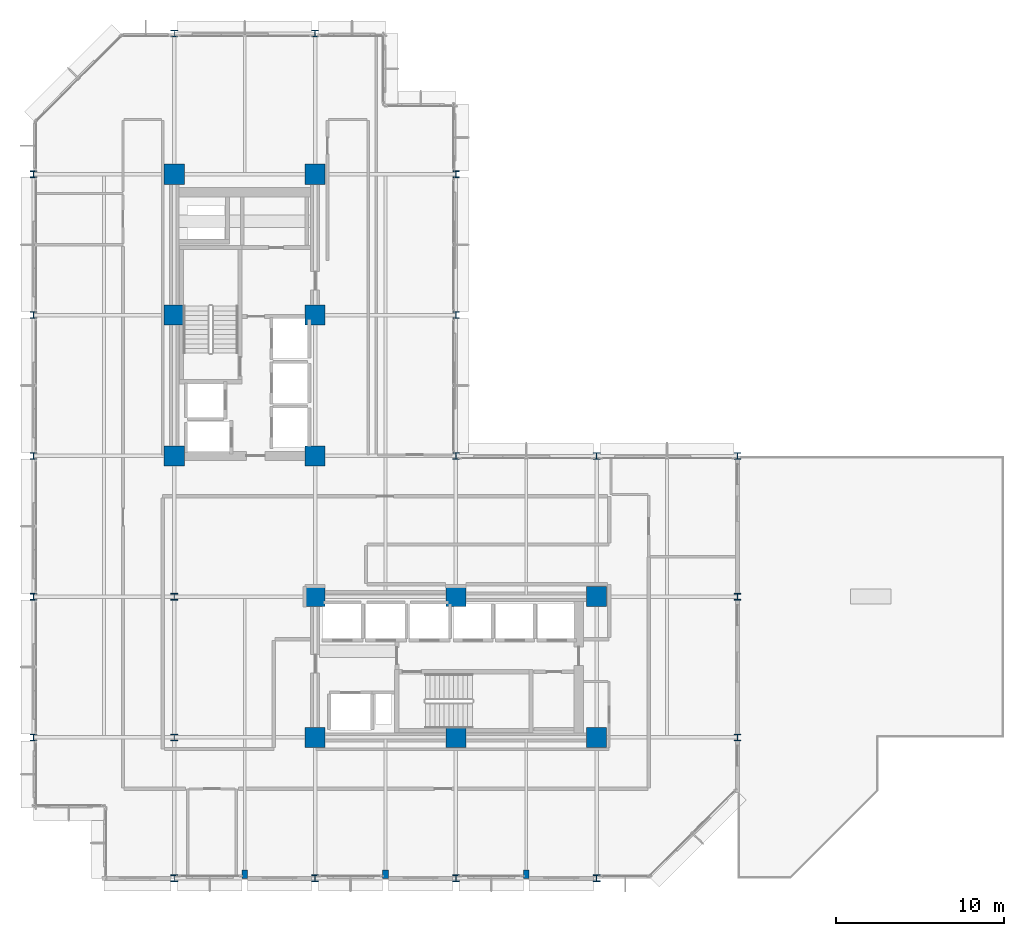
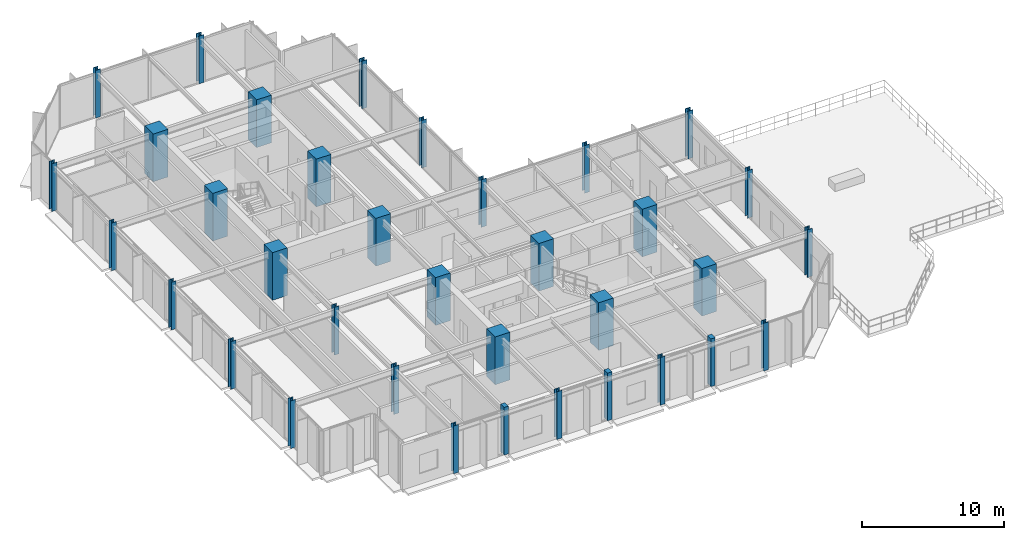
# One storey, part 1 of 25: 35 columns.
"""IFC4 building model written with IfcOpenShell, lengths in metres."""

from ifc_helpers import new_model, si_unit, direction, frame, origin, origin_2d, place, context, subcontext, project, spatial, rectangle, i_section, extrude, material, material_profile, profile_set, type_object, element, save


model = new_model("IFC4")

# Units and contexts
model_context = context("Model", 3, precision=1e-05, world=origin(), true_north=direction((0.0, 1.0)))
body_context = subcontext(model_context, "Body", "Model", "MODEL_VIEW")
ifc_project = project(units=[si_unit("LENGTHUNIT", "METRE"), si_unit("AREAUNIT", "SQUARE_METRE"), si_unit("VOLUMEUNIT", "CUBIC_METRE"), si_unit("PLANEANGLEUNIT", "RADIAN"), si_unit("MASSUNIT", "GRAM", prefix="KILO")], contexts=[model_context])

# Site, building, storey
site_placement = place(None, origin())
site = spatial("IfcSite", under=ifc_project, at=site_placement, CompositionType="ELEMENT")
building_placement = place(site_placement, origin())
building = spatial("IfcBuilding", under=site, at=building_placement, Name="Nerrivon Quay Data Exchange", CompositionType="ELEMENT")
storey_placement = place(building_placement, frame((0.0, 0.0, 113.10009765625)))
storey = spatial("IfcBuildingStorey", under=building, at=storey_placement, Name="L26", CompositionType="ELEMENT", Elevation=113.10009765625)

# Columns
ifc_material_1 = material(Name="Concrete S65 (65 MPa)", Category="concrete")
ifc_material_profile_1 = material_profile(ifc_material_1, rectangle(XDim=1.199951171875, YDim=1.199951171875, at=origin_2d()), Name="RC-COL-1200x1200")
ifc_profile_set_1 = profile_set([ifc_material_profile_1], Name="Concrete S65 (65 MPa)")
column_type_1 = type_object("IfcColumnType", Name="COL-C3-1200", PredefinedType="COLUMN", material=ifc_profile_set_1)
for number, where, z_axis, x_axis, name in (
    (1, (8.39990234375, 25.199951171875, 0.0), (0.0, 0.0, 1.0), (1.0, 0.0, 0.0), "L26 Column (8.4,25.2)"),
    (2, (8.39990234375, 33.60009765625, 0.0), (0.0, 0.0, 1.0), (1.0, 0.0, 0.0), "L26 Column (8.4,33.6)"),
    (3, (8.39990234375, 42.0, 0.0), (0.0, 0.0, 1.0), (1.0, 0.0, 0.0), "L26 Column (8.4,42.0)"),
    (4, (16.800048828125, 8.39990234375, 0.0), (0.0, 0.0, 1.0), (1.0, 0.0, 0.0), "L26 Column (16.8,8.4)"),
    (5, (16.800048828125, 16.800048828125, 0.0), (0.0, 0.0, 1.0), (1.0, 0.0, 0.0), "L26 Column (16.8,16.8)"),
    (6, (16.800048828125, 25.199951171875, 0.0), (0.0, 0.0, 1.0), (1.0, 0.0, 0.0), "L26 Column (16.8,25.2)"),
    (7, (16.800048828125, 33.60009765625, 0.0), (0.0, 0.0, 1.0), (1.0, 0.0, 0.0), "L26 Column (16.8,33.6)"),
    (8, (16.800048828125, 42.0, 0.0), (0.0, 0.0, 1.0), (1.0, 0.0, 0.0), "L26 Column (16.8,42.0)"),
    (9, (25.199951171875, 8.39990234375, 0.0), (0.0, 0.0, 1.0), (1.0, 0.0, 0.0), "L26 Column (25.2,8.4)"),
    (10, (25.199951171875, 16.800048828125, 0.0), (0.0, 0.0, 1.0), (1.0, 0.0, 0.0), "L26 Column (25.2,16.8)"),
    (11, (33.60009765625, 8.39990234375, 0.0), (0.0, 0.0, 1.0), (1.0, 0.0, 0.0), "L26 Column (33.6,8.4)"),
    (12, (33.60009765625, 16.800048828125, 0.0), (0.0, 0.0, 1.0), (1.0, 0.0, 0.0), "L26 Column (33.6,16.8)"),
):
    element("IfcColumn", number, at=place(storey_placement, frame(where, z_axis=z_axis, x_axis=x_axis)), inside=storey, type_object=column_type_1, Name=name, PredefinedType="COLUMN", context=body_context, shape_type="SweptSolid", body=[
        extrude(rectangle(XDim=1.199951171875, YDim=1.199951171875, at=origin_2d()), origin(), (0.0, 0.0, 1.0), 4.099853515625),
    ])
ifc_material_2 = material(Name="Steel Grade 350", Category="steel")
ifc_material_profile_2 = material_profile(ifc_material_2, i_section(OverallWidth=0.39990234375, OverallDepth=0.39990234375, WebThickness=0.02490234375, FlangeThickness=0.0400390625, at=origin_2d()), Name="400WC328")
ifc_profile_set_2 = profile_set([ifc_material_profile_2], Name="Steel Grade 350")
column_type_2 = type_object("IfcColumnType", Name="COL-SC2-400WC", PredefinedType="COLUMN", material=ifc_profile_set_2)
for number, where, z_axis, x_axis, name in (
    (13, (0.0, 8.39990234375, 0.0), (0.0, 0.0, 1.0), (1.0, 0.0, 0.0), "L26 Column (0.0,8.4)"),
    (14, (0.0, 16.800048828125, 0.0), (0.0, 0.0, 1.0), (1.0, 0.0, 0.0), "L26 Column (0.0,16.8)"),
    (15, (0.0, 25.199951171875, 0.0), (0.0, 0.0, 1.0), (1.0, 0.0, 0.0), "L26 Column (0.0,25.2)"),
    (16, (0.0, 33.60009765625, 0.0), (0.0, 0.0, 1.0), (1.0, 0.0, 0.0), "L26 Column (0.0,33.6)"),
    (17, (0.0, 42.0, 0.0), (0.0, 0.0, 1.0), (1.0, 0.0, 0.0), "L26 Column (0.0,42.0)"),
    (18, (8.39990234375, 0.0, 0.0), (0.0, 0.0, 1.0), (1.0, 0.0, 0.0), "L26 Column (8.4,0.0)"),
    (19, (8.39990234375, 8.39990234375, 0.0), (0.0, 0.0, 1.0), (1.0, 0.0, 0.0), "L26 Column (8.4,8.4)"),
    (20, (8.39990234375, 16.800048828125, 0.0), (0.0, 0.0, 1.0), (1.0, 0.0, 0.0), "L26 Column (8.4,16.8)"),
    (21, (8.39990234375, 50.39990234375, 0.0), (0.0, 0.0, 1.0), (1.0, 0.0, 0.0), "L26 Column (8.4,50.4)"),
    (22, (16.800048828125, 0.0, 0.0), (0.0, 0.0, 1.0), (1.0, 0.0, 0.0), "L26 Column (16.8,0.0)"),
    (23, (16.800048828125, 50.39990234375, 0.0), (0.0, 0.0, 1.0), (1.0, 0.0, 0.0), "L26 Column (16.8,50.4)"),
    (24, (25.199951171875, 0.0, 0.0), (0.0, 0.0, 1.0), (1.0, 0.0, 0.0), "L26 Column (25.2,0.0)"),
    (25, (25.199951171875, 25.199951171875, 0.0), (0.0, 0.0, 1.0), (1.0, 0.0, 0.0), "L26 Column (25.2,25.2)"),
    (26, (25.199951171875, 33.60009765625, 0.0), (0.0, 0.0, 1.0), (1.0, 0.0, 0.0), "L26 Column (25.2,33.6)"),
    (27, (25.199951171875, 42.0, 0.0), (0.0, 0.0, 1.0), (1.0, 0.0, 0.0), "L26 Column (25.2,42.0)"),
    (28, (33.60009765625, 0.0, 0.0), (0.0, 0.0, 1.0), (1.0, 0.0, 0.0), "L26 Column (33.6,0.0)"),
    (29, (33.60009765625, 25.199951171875, 0.0), (0.0, 0.0, 1.0), (1.0, 0.0, 0.0), "L26 Column (33.6,25.2)"),
    (30, (42.0, 8.39990234375, 0.0), (0.0, 0.0, 1.0), (1.0, 0.0, 0.0), "L26 Column (42.0,8.4)"),
    (31, (42.0, 16.800048828125, 0.0), (0.0, 0.0, 1.0), (1.0, 0.0, 0.0), "L26 Column (42.0,16.8)"),
    (32, (42.0, 25.199951171875, 0.0), (0.0, 0.0, 1.0), (1.0, 0.0, 0.0), "L26 Column (42.0,25.2)"),
):
    element("IfcColumn", number, at=place(storey_placement, frame(where, z_axis=z_axis, x_axis=x_axis)), inside=storey, type_object=column_type_2, Name=name, PredefinedType="COLUMN", context=body_context, shape_type="SweptSolid", body=[
        extrude(i_section(OverallWidth=0.39990234375, OverallDepth=0.39990234375, WebThickness=0.02490234375, FlangeThickness=0.0400390625, at=origin_2d()), origin(), (0.0, 0.0, 1.0), 4.099853515625),
    ])
ifc_material_3 = material(Name="Concrete N50 (50 MPa)", Category="concrete")
ifc_material_profile_3 = material_profile(ifc_material_3, rectangle(XDim=0.35009765625, YDim=0.5, at=origin_2d()), Name="RC-PIL-500x350")
ifc_profile_set_3 = profile_set([ifc_material_profile_3], Name="Concrete N50 (50 MPa)")
column_type_3 = type_object("IfcColumnType", Name="PIL-P2-500x350", PredefinedType="PILASTER", material=ifc_profile_set_3)
for number, where, z_axis, x_axis, name in (
    (33, (12.60009765625, 0.25, 0.0), (0.0, 0.0, 1.0), (1.0, 0.0, 0.0), "L26 Facade Pilaster (12.6)"),
    (34, (21.0, 0.25, 0.0), (0.0, 0.0, 1.0), (1.0, 0.0, 0.0), "L26 Facade Pilaster (21.0)"),
    (35, (29.39990234375, 0.25, 0.0), (0.0, 0.0, 1.0), (1.0, 0.0, 0.0), "L26 Facade Pilaster (29.4)"),
):
    element("IfcColumn", number, at=place(storey_placement, frame(where, z_axis=z_axis, x_axis=x_axis)), inside=storey, type_object=column_type_3, Name=name, PredefinedType="PILASTER", context=body_context, shape_type="SweptSolid", body=[
        extrude(rectangle(XDim=0.35009765625, YDim=0.5, at=origin_2d()), origin(), (0.0, 0.0, 1.0), 4.099853515625),
    ])

save(model, "model.ifc")
